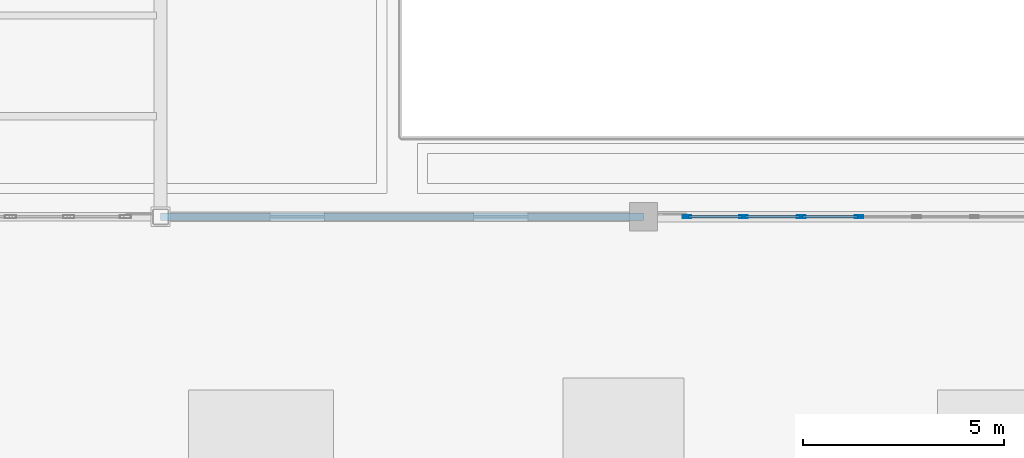
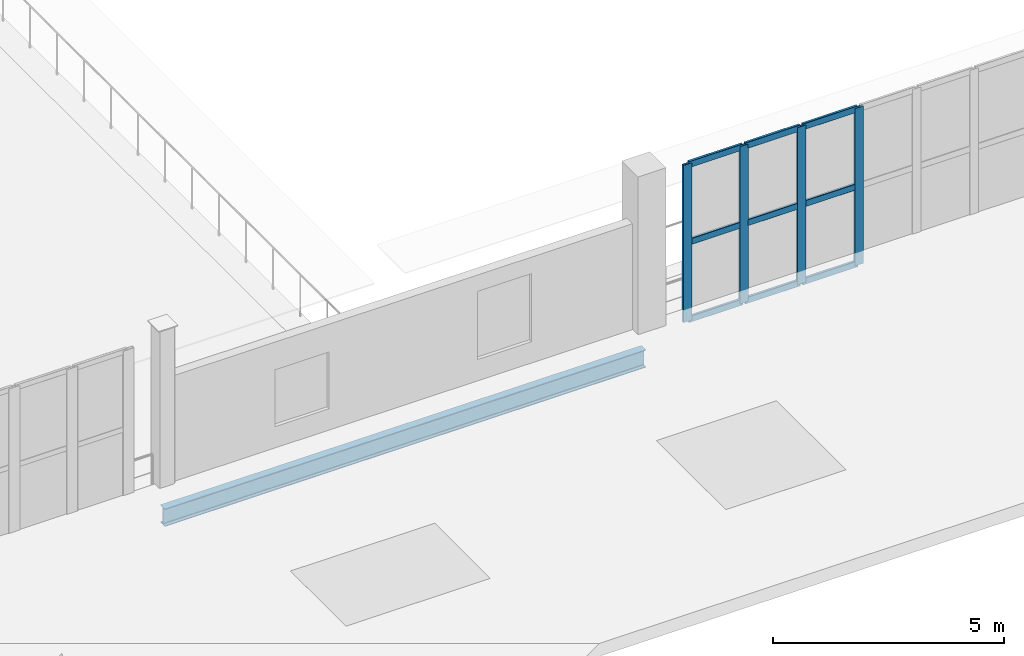
# One storey, part 9 of 108: 13 members, 1 beam, 1 element without a shape of its own.
"""IFC4 building model written with IfcOpenShell, lengths in metres."""

from ifc_helpers import new_model, si_unit, direction, frame, origin, origin_2d, place, context, subcontext, project, spatial, hollow_rectangle, i_section, extrude, material, layer, layer_set, material_profile, profile_set, type_object, element, aggregate, save


model = new_model("IFC4")

# Units and contexts
model_context = context("Model", 3, precision=1e-05, world=origin(), true_north=direction((0.0, 1.0)))
body_context = subcontext(model_context, "Body", "Model", "MODEL_VIEW")
ifc_project = project(units=[si_unit("LENGTHUNIT", "METRE"), si_unit("AREAUNIT", "SQUARE_METRE"), si_unit("VOLUMEUNIT", "CUBIC_METRE"), si_unit("PLANEANGLEUNIT", "RADIAN"), si_unit("MASSUNIT", "GRAM", prefix="KILO")], contexts=[model_context])

# Site, building, storey
site_placement = place(None, origin())
site = spatial("IfcSite", under=ifc_project, at=site_placement, CompositionType="ELEMENT")
building_placement = place(site_placement, origin())
building = spatial("IfcBuilding", under=site, at=building_placement, Name="Brinegate Civic Arena", CompositionType="ELEMENT")
storey_placement = place(building_placement, frame((0.0, 0.0, 10.199951171875)))
storey = spatial("IfcBuildingStorey", under=building, at=storey_placement, Name="L02", CompositionType="ELEMENT", Elevation=10.199951171875)

# Curtain wall, members
ifc_material_1 = material(Name="Marine grade aluminium", Category="aluminium")
ifc_layer = layer(ifc_material_1, 0.18505859375, Name="Marine grade aluminium")
ifc_layer_set = layer_set([ifc_layer], Name="Marine grade aluminium")
curtain_wall_type = type_object("IfcCurtainWallType", Name="CW-WING-GLAZED-03", PredefinedType="USERDEFINED", material=ifc_layer_set)
curtain_wall_placement = place(storey_placement, origin())
curtain_wall = element("IfcCurtainWall", 1, at=curtain_wall_placement, inside=storey, type_object=curtain_wall_type, Name="Curtain Wall CWA-023", ObjectType="GLAZED CURTAIN WALL", PredefinedType="USERDEFINED")
ifc_material_profile_1 = material_profile(ifc_material_1, hollow_rectangle(XDim=0.06494140625, YDim=0.219970703125, WallThickness=0.006103515625, InnerFilletRadius=0.00390625, OuterFilletRadius=0.008056640625, at=origin_2d()), Name="MUL65X220")
ifc_profile_set_1 = profile_set([ifc_material_profile_1], Name="Marine grade aluminium")
member_type_1 = type_object("IfcMemberType", Name="CW-MULLION-65X220", PredefinedType="MULLION", material=ifc_profile_set_1)
member_1_placement = place(storey_placement, frame((25.077392578125, 10.0, 0.0), z_axis=(0.0, 0.0, 1.0), x_axis=(0.0, 1.0, 0.0)))
member_1 = element("IfcMember", 2, at=member_1_placement, type_object=member_type_1, Name="CWA-023 mullion 1", PredefinedType="MULLION", context=body_context, shape_type="SweptSolid", body=[
    extrude(hollow_rectangle(XDim=0.06494140625, YDim=0.219970703125, WallThickness=0.006103515625, InnerFilletRadius=0.00390625, OuterFilletRadius=0.008056640625, at=origin_2d()), origin(), (0.0, 0.0, 1.0), 4.150146484375),
])
member_2_placement = place(storey_placement, frame((26.480224609375, 10.0, 0.0), z_axis=(0.0, 0.0, 1.0), x_axis=(0.0, 1.0, 0.0)))
member_2 = element("IfcMember", 3, at=member_2_placement, type_object=member_type_1, Name="CWA-023 mullion 2", PredefinedType="MULLION", context=body_context, shape_type="SweptSolid", body=[
    extrude(hollow_rectangle(XDim=0.06494140625, YDim=0.219970703125, WallThickness=0.006103515625, InnerFilletRadius=0.00390625, OuterFilletRadius=0.008056640625, at=origin_2d()), origin(), (0.0, 0.0, 1.0), 4.150146484375),
])
member_3_placement = place(storey_placement, frame((27.915283203125, 10.0, 0.0), z_axis=(0.0, 0.0, 1.0), x_axis=(0.0, 1.0, 0.0)))
member_3 = element("IfcMember", 4, at=member_3_placement, type_object=member_type_1, Name="CWA-023 mullion 3", PredefinedType="MULLION", context=body_context, shape_type="SweptSolid", body=[
    extrude(hollow_rectangle(XDim=0.06494140625, YDim=0.219970703125, WallThickness=0.006103515625, InnerFilletRadius=0.00390625, OuterFilletRadius=0.008056640625, at=origin_2d()), origin(), (0.0, 0.0, 1.0), 4.150146484375),
])
member_4_placement = place(storey_placement, frame((29.350341796875, 10.0, 0.0), z_axis=(0.0, 0.0, 1.0), x_axis=(0.0, 1.0, 0.0)))
member_4 = element("IfcMember", 5, at=member_4_placement, type_object=member_type_1, Name="CWA-023 mullion 4", PredefinedType="MULLION", context=body_context, shape_type="SweptSolid", body=[
    extrude(hollow_rectangle(XDim=0.06494140625, YDim=0.219970703125, WallThickness=0.006103515625, InnerFilletRadius=0.00390625, OuterFilletRadius=0.008056640625, at=origin_2d()), origin(), (0.0, 0.0, 1.0), 4.150146484375),
])
ifc_material_profile_2 = material_profile(ifc_material_1, hollow_rectangle(XDim=0.06494140625, YDim=0.1650390625, WallThickness=0.0048828125, InnerFilletRadius=0.00390625, OuterFilletRadius=0.008056640625, at=origin_2d()), Name="TRN65X165")
ifc_profile_set_2 = profile_set([ifc_material_profile_2], Name="Marine grade aluminium")
member_type_2 = type_object("IfcMemberType", Name="CW-TRANSOM-65X165", PredefinedType="USERDEFINED", material=ifc_profile_set_2)
member_5_placement = place(storey_placement, frame((25.110107421875, 10.0, 0.032470703125), z_axis=(1.0, 0.0, 0.0), x_axis=(0.0, 1.0, 0.0)))
member_5 = element("IfcMember", 6, at=member_5_placement, type_object=member_type_2, Name="CWA-023 transom 1.1", ObjectType="TRANSOM", PredefinedType="USERDEFINED", context=body_context, shape_type="SweptSolid", body=[
    extrude(hollow_rectangle(XDim=0.06494140625, YDim=0.1650390625, WallThickness=0.0048828125, InnerFilletRadius=0.00390625, OuterFilletRadius=0.008056640625, at=origin_2d()), origin(), (0.0, 0.0, 1.0), 1.337646484375),
])
member_6_placement = place(storey_placement, frame((25.110107421875, 10.0, 2.074951171875), z_axis=(1.0, 0.0, 0.0), x_axis=(0.0, 1.0, 0.0)))
member_6 = element("IfcMember", 7, at=member_6_placement, type_object=member_type_2, Name="CWA-023 transom 1.2", ObjectType="TRANSOM", PredefinedType="USERDEFINED", context=body_context, shape_type="SweptSolid", body=[
    extrude(hollow_rectangle(XDim=0.06494140625, YDim=0.1650390625, WallThickness=0.0048828125, InnerFilletRadius=0.00390625, OuterFilletRadius=0.008056640625, at=origin_2d()), origin(), (0.0, 0.0, 1.0), 1.337646484375),
])
member_7_placement = place(storey_placement, frame((25.110107421875, 10.0, 4.117431640625), z_axis=(1.0, 0.0, 0.0), x_axis=(0.0, 1.0, 0.0)))
member_7 = element("IfcMember", 8, at=member_7_placement, type_object=member_type_2, Name="CWA-023 transom 1.3", ObjectType="TRANSOM", PredefinedType="USERDEFINED", context=body_context, shape_type="SweptSolid", body=[
    extrude(hollow_rectangle(XDim=0.06494140625, YDim=0.1650390625, WallThickness=0.0048828125, InnerFilletRadius=0.00390625, OuterFilletRadius=0.008056640625, at=origin_2d()), origin(), (0.0, 0.0, 1.0), 1.337646484375),
])
member_8_placement = place(storey_placement, frame((26.5126953125, 10.0, 0.032470703125), z_axis=(1.0, 0.0, 0.0), x_axis=(0.0, 1.0, 0.0)))
member_8 = element("IfcMember", 9, at=member_8_placement, type_object=member_type_2, Name="CWA-023 transom 2.1", ObjectType="TRANSOM", PredefinedType="USERDEFINED", context=body_context, shape_type="SweptSolid", body=[
    extrude(hollow_rectangle(XDim=0.06494140625, YDim=0.1650390625, WallThickness=0.0048828125, InnerFilletRadius=0.00390625, OuterFilletRadius=0.008056640625, at=origin_2d()), origin(), (0.0, 0.0, 1.0), 1.3701171875),
])
member_9_placement = place(storey_placement, frame((26.5126953125, 10.0, 2.074951171875), z_axis=(1.0, 0.0, 0.0), x_axis=(0.0, 1.0, 0.0)))
member_9 = element("IfcMember", 10, at=member_9_placement, type_object=member_type_2, Name="CWA-023 transom 2.2", ObjectType="TRANSOM", PredefinedType="USERDEFINED", context=body_context, shape_type="SweptSolid", body=[
    extrude(hollow_rectangle(XDim=0.06494140625, YDim=0.1650390625, WallThickness=0.0048828125, InnerFilletRadius=0.00390625, OuterFilletRadius=0.008056640625, at=origin_2d()), origin(), (0.0, 0.0, 1.0), 1.3701171875),
])
member_10_placement = place(storey_placement, frame((26.5126953125, 10.0, 4.117431640625), z_axis=(1.0, 0.0, 0.0), x_axis=(0.0, 1.0, 0.0)))
member_10 = element("IfcMember", 11, at=member_10_placement, type_object=member_type_2, Name="CWA-023 transom 2.3", ObjectType="TRANSOM", PredefinedType="USERDEFINED", context=body_context, shape_type="SweptSolid", body=[
    extrude(hollow_rectangle(XDim=0.06494140625, YDim=0.1650390625, WallThickness=0.0048828125, InnerFilletRadius=0.00390625, OuterFilletRadius=0.008056640625, at=origin_2d()), origin(), (0.0, 0.0, 1.0), 1.3701171875),
])
member_11_placement = place(storey_placement, frame((27.94775390625, 10.0, 0.032470703125), z_axis=(1.0, 0.0, 0.0), x_axis=(0.0, 1.0, 0.0)))
member_11 = element("IfcMember", 12, at=member_11_placement, type_object=member_type_2, Name="CWA-023 transom 3.1", ObjectType="TRANSOM", PredefinedType="USERDEFINED", context=body_context, shape_type="SweptSolid", body=[
    extrude(hollow_rectangle(XDim=0.06494140625, YDim=0.1650390625, WallThickness=0.0048828125, InnerFilletRadius=0.00390625, OuterFilletRadius=0.008056640625, at=origin_2d()), origin(), (0.0, 0.0, 1.0), 1.3701171875),
])
member_12_placement = place(storey_placement, frame((27.94775390625, 10.0, 2.074951171875), z_axis=(1.0, 0.0, 0.0), x_axis=(0.0, 1.0, 0.0)))
member_12 = element("IfcMember", 13, at=member_12_placement, type_object=member_type_2, Name="CWA-023 transom 3.2", ObjectType="TRANSOM", PredefinedType="USERDEFINED", context=body_context, shape_type="SweptSolid", body=[
    extrude(hollow_rectangle(XDim=0.06494140625, YDim=0.1650390625, WallThickness=0.0048828125, InnerFilletRadius=0.00390625, OuterFilletRadius=0.008056640625, at=origin_2d()), origin(), (0.0, 0.0, 1.0), 1.3701171875),
])
member_13_placement = place(storey_placement, frame((27.94775390625, 10.0, 4.117431640625), z_axis=(1.0, 0.0, 0.0), x_axis=(0.0, 1.0, 0.0)))
member_13 = element("IfcMember", 14, at=member_13_placement, type_object=member_type_2, Name="CWA-023 transom 3.3", ObjectType="TRANSOM", PredefinedType="USERDEFINED", context=body_context, shape_type="SweptSolid", body=[
    extrude(hollow_rectangle(XDim=0.06494140625, YDim=0.1650390625, WallThickness=0.0048828125, InnerFilletRadius=0.00390625, OuterFilletRadius=0.008056640625, at=origin_2d()), origin(), (0.0, 0.0, 1.0), 1.3701171875),
])
aggregate(curtain_wall, [member_1, member_2, member_3, member_4, member_5, member_6, member_7, member_8, member_9, member_10, member_11, member_12, member_13])

# Beam
ifc_material_2 = material(Name="Steel S355", Category="steel")
ifc_material_profile_3 = material_profile(ifc_material_2, i_section(OverallWidth=0.193115234375, OverallDepth=0.466064453125, WebThickness=0.010986328125, FlangeThickness=0.01904296875, FilletRadius=0.014892578125, at=origin_2d()), Name="W460X97")
ifc_profile_set_3 = profile_set([ifc_material_profile_3], Name="Steel S355")
beam_type = type_object("IfcBeamType", Name="SPANDREL-W460X97", PredefinedType="SPANDREL", material=ifc_profile_set_3)
beam_placement = place(storey_placement, frame((12.0, 10.0, -0.56298828125), z_axis=(1.0, 0.0, 0.0), x_axis=(0.0, 1.0, 0.0)))
element("IfcBeam", 15, at=beam_placement, inside=storey, type_object=beam_type, Name="Floor Girder BM-L02-GX-01-01", PredefinedType="SPANDREL", context=body_context, shape_type="SweptSolid", body=[
    extrude(i_section(OverallWidth=0.193115234375, OverallDepth=0.466064453125, WebThickness=0.010986328125, FlangeThickness=0.01904296875, FilletRadius=0.014892578125, at=origin_2d()), origin(), (0.0, 0.0, 1.0), 12.0),
])

save(model, "model.ifc")
